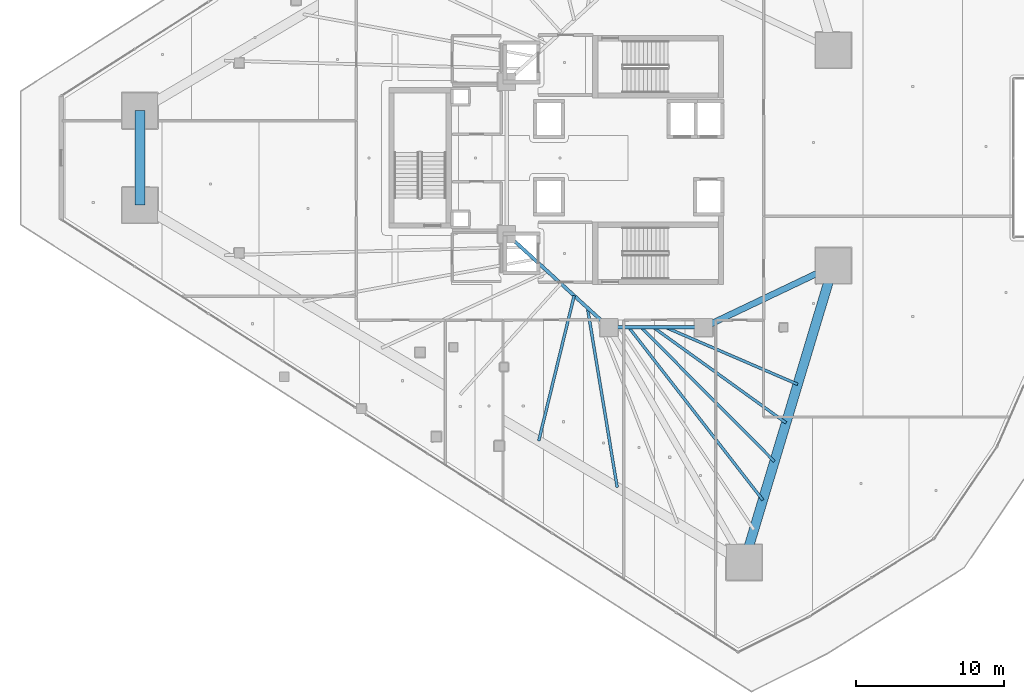
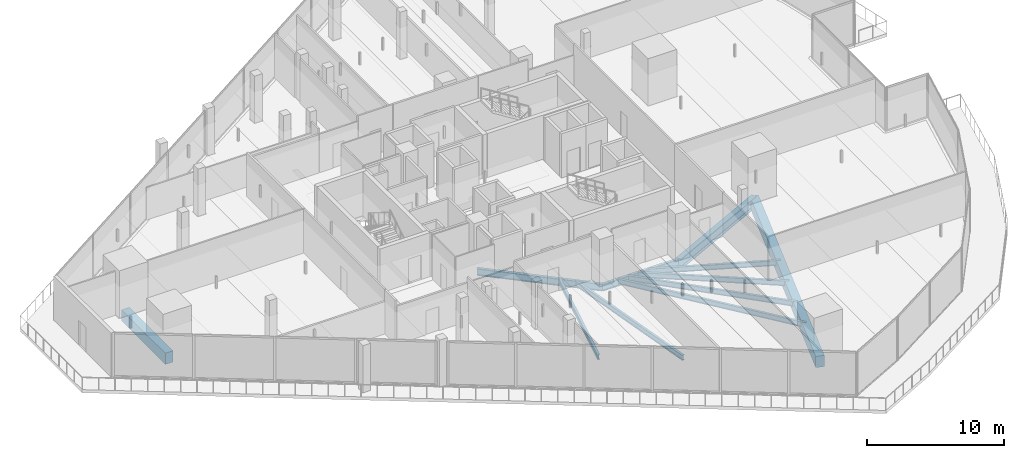
# One storey, part 11 of 44: 11 beams.
"""IFC4 building model written with IfcOpenShell, lengths in metres."""

import ifcopenshell
import ifcopenshell.guid

model = None  # the IFC model being written
_history = None  # IfcOwnerHistory: only IFC2X3 demands one
_inside = {}  # id of a spatial element -> (the spatial element, [elements in it])
_under = {}  # id of a project, library or spatial element -> (it, [spatial elements below it])
_declared = {}  # id of a project -> (the project, [libraries it declares])
_typed = {}  # id of a type object -> (the type object, [elements of that type])
_made_of = {}  # id of a material, layer set ... -> (it, [elements and type objects made of it])


def new_model(schema):
    """Start an empty IFC model of exactly this schema.

    Asked for "IFC4X3", IfcOpenShell would pick the latest addendum, in which some entities
    have other attributes; the version numbers below select the first issue.
    IFC2X3 requires an IfcOwnerHistory on every rooted entity: one is made here for all.
    """
    global model, _history
    if schema == "IFC4X3":
        model = ifcopenshell.file(schema_version=(4, 3, 0, 0))
    else:
        model = ifcopenshell.file(schema=schema)
    _inside.clear()
    _under.clear()
    _declared.clear()
    _typed.clear()
    _made_of.clear()
    _history = None
    if model.schema == "IFC2X3":
        org = make("IfcOrganization", Name="unknown")
        user = make(
            "IfcPersonAndOrganization",
            ThePerson=make("IfcPerson", FamilyName="unknown"),
            TheOrganization=org,
        )
        app = make(
            "IfcApplication",
            ApplicationDeveloper=org,
            Version="unknown",
            ApplicationFullName="unknown",
            ApplicationIdentifier="unknown",
        )
        _history = make(
            "IfcOwnerHistory",
            OwningUser=user,
            OwningApplication=app,
            ChangeAction="ADDED",
            CreationDate=0,
        )
    return model


def make(cls, **values):
    """One entity of the class cls with the attributes given. An attribute that is None is left unset."""
    return model.create_entity(
        cls, **{name: value for name, value in values.items() if value is not None}
    )


def rooted(cls, **values):
    """An entity with a GlobalId (a new one), such as an element, a storey or a relation."""
    return make(cls, GlobalId=ifcopenshell.guid.new(), OwnerHistory=_history, **values)


def si_unit(unit_type, name, prefix=None):
    """IfcSIUnit, for example si_unit("LENGTHUNIT", "METRE", prefix="MILLI")."""
    return make("IfcSIUnit", UnitType=unit_type, Prefix=prefix, Name=name)


def assignment(units):
    """IfcUnitAssignment: the units of a project."""
    return None if units is None else make("IfcUnitAssignment", Units=units)


def point(xyz):
    """IfcCartesianPoint."""
    return None if xyz is None else make("IfcCartesianPoint", Coordinates=xyz)


def direction(xyz):
    """IfcDirection."""
    return None if xyz is None else make("IfcDirection", DirectionRatios=xyz)


def frame(location, z_axis=None, x_axis=None):
    """IfcAxis2Placement3D, a coordinate frame: its origin and axes. An axis left out is left unset."""
    return make(
        "IfcAxis2Placement3D",
        Location=point(location),
        Axis=direction(z_axis),
        RefDirection=direction(x_axis),
    )


def frame_2d(location, x_axis=None):
    """IfcAxis2Placement2D, a coordinate frame in the plane: its origin and x axis."""
    return make(
        "IfcAxis2Placement2D", Location=point(location), RefDirection=direction(x_axis)
    )


def origin():
    """The frame at (0, 0, 0) with its axes left unset."""
    return frame((0.0, 0.0, 0.0))


def origin_2d():
    """The frame at (0, 0) in the plane with its x axis left unset."""
    return frame_2d((0.0, 0.0))


def place(relative_to, where):
    """IfcLocalPlacement: puts the frame where relative to a parent placement (None: the world)."""
    return make(
        "IfcLocalPlacement", PlacementRelTo=relative_to, RelativePlacement=where
    )


def context(
    kind, dimensions, precision=None, world=None, true_north=None, identifier=None
):
    """IfcGeometricRepresentationContext, for example the 3D "Model" context."""
    return make(
        "IfcGeometricRepresentationContext",
        ContextIdentifier=identifier,
        ContextType=kind,
        CoordinateSpaceDimension=dimensions,
        Precision=precision,
        WorldCoordinateSystem=world,
        TrueNorth=true_north,
    )


def subcontext(parent, identifier, kind, view, scale=None):
    """IfcGeometricRepresentationSubContext, for example "Body" below "Model"."""
    return make(
        "IfcGeometricRepresentationSubContext",
        ContextIdentifier=identifier,
        ContextType=kind,
        ParentContext=parent,
        TargetScale=scale,
        TargetView=view,
    )


def project(units=None, contexts=None):
    """IfcProject with its units and contexts."""
    return rooted(
        "IfcProject",
        Name="project",
        RepresentationContexts=contexts,
        UnitsInContext=assignment(units),
    )


def spatial(cls, under=None, at=None, **own):
    """A site, building, storey or space (cls), placed at a placement, below another one or the project."""
    s = rooted(cls, ObjectPlacement=at, **own)
    if under is not None:
        _under.setdefault(under.id(), (under, []))[1].append(s)
    return s


def profile(cls, at=None, kind="AREA", **sizes):
    """A parametric profile (cls). Its sizes go by their IFC names, for example OverallWidth=200.0."""
    return make(cls, ProfileType=kind, Position=at, **sizes)


def rectangle(**sizes):
    """IfcRectangleProfileDef."""
    return profile("IfcRectangleProfileDef", **sizes)


def i_section(**sizes):
    """IfcIShapeProfileDef."""
    return profile("IfcIShapeProfileDef", **sizes)


def extrude(swept, where, along, depth):
    """IfcExtrudedAreaSolid: the profile swept, set in the frame where, extruded along a direction by depth."""
    return make(
        "IfcExtrudedAreaSolid",
        SweptArea=swept,
        Position=where,
        ExtrudedDirection=direction(along),
        Depth=depth,
    )


def shape(context_of_items, identifier, shape_type, items):
    """IfcShapeRepresentation: the items that make up one representation, for example the "Body"."""
    return make(
        "IfcShapeRepresentation",
        ContextOfItems=context_of_items,
        RepresentationIdentifier=identifier,
        RepresentationType=shape_type,
        Items=items,
    )


def material(Name=None, Category=None):
    """IfcMaterial."""
    return make("IfcMaterial", Name=Name, Category=Category)


def material_profile(
    of_material, cross_section, Name=None, Category=None, Priority=None
):
    """IfcMaterialProfile: a cross section and its material."""
    return make(
        "IfcMaterialProfile",
        Name=Name,
        Material=of_material,
        Profile=cross_section,
        Priority=Priority,
        Category=Category,
    )


def profile_set(profiles, Name=None, composite=None):
    """IfcMaterialProfileSet."""
    return make(
        "IfcMaterialProfileSet",
        Name=Name,
        MaterialProfiles=profiles,
        CompositeProfile=composite,
    )


def made_of(thing, what):
    """Note that an element or type object is made of a material, layer set ...; save() writes the relation."""
    if what is not None:
        _made_of.setdefault(what.id(), (what, []))[1].append(thing)
    return thing


def type_object(cls, material=None, **own):
    """A type object (cls), such as IfcWallType, which elements share."""
    return made_of(rooted(cls, **own), material)


def element(
    cls,
    number,
    at=None,
    inside=None,
    cuts=None,
    type_object=None,
    material=None,
    context=None,
    identifier="Body",
    shape_type=None,
    held_by="IfcProductDefinitionShape",
    body=None,
    shapes=None,
    **own,
):
    """One element of the class cls, such as IfcWall. Its Tag is "e" and its number.

    at: its placement. inside: the storey or other place that contains it. cuts: it is an
    opening in that element (IfcRelVoidsElement). A single representation is given by context,
    identifier, shape_type and body (its items); several are given by shapes. held_by: the class
    of the entity that holds the representations. save() writes the other relations.
    """
    e = rooted(cls, Tag="e%d" % number, ObjectPlacement=at, **own)
    if body is not None:
        shapes = [shape(context, identifier, shape_type, body)]
    if shapes is not None:
        e.Representation = make(held_by, Representations=shapes)
    if inside is not None:
        _inside.setdefault(inside.id(), (inside, []))[1].append(e)
    if cuts is not None:
        rooted(
            "IfcRelVoidsElement", RelatingBuildingElement=cuts, RelatedOpeningElement=e
        )
    if type_object is not None:
        _typed.setdefault(type_object.id(), (type_object, []))[1].append(e)
    return made_of(e, material)


def aggregate(whole, parts):
    """IfcRelAggregates: a whole, such as a stair, and the parts it consists of."""
    return rooted("IfcRelAggregates", RelatingObject=whole, RelatedObjects=parts)


def save(model, path):
    """Write the relations noted so far, then the file.

    IfcRelAggregates (storeys below a building ...), IfcRelContainedInSpatialStructure (elements
    in a storey), IfcRelDefinesByType, IfcRelAssociatesMaterial and IfcRelDeclares: one each for
    every whole, place, type object, material and project.
    """
    for whole, parts in _under.values():
        aggregate(whole, parts)
    for where, things in _inside.values():
        rooted(
            "IfcRelContainedInSpatialStructure",
            RelatedElements=things,
            RelatingStructure=where,
        )
    for kind, things in _typed.values():
        rooted("IfcRelDefinesByType", RelatedObjects=things, RelatingType=kind)
    for what, things in _made_of.values():
        rooted("IfcRelAssociatesMaterial", RelatedObjects=things, RelatingMaterial=what)
    for by, libraries in _declared.values():
        rooted("IfcRelDeclares", RelatingContext=by, RelatedDefinitions=libraries)
    model.write(path)


model = new_model("IFC4")

# Units and contexts
model_context = context("Model", 3, precision=1e-05, world=origin(), true_north=direction((0.0, 1.0)))
body_context = subcontext(model_context, "Body", "Model", "MODEL_VIEW")
ifc_project = project(units=[si_unit("LENGTHUNIT", "METRE"), si_unit("AREAUNIT", "SQUARE_METRE"), si_unit("VOLUMEUNIT", "CUBIC_METRE"), si_unit("PLANEANGLEUNIT", "RADIAN"), si_unit("MASSUNIT", "GRAM", prefix="KILO")], contexts=[model_context])

# Site, building, storey
site_placement = place(None, origin())
site = spatial("IfcSite", under=ifc_project, at=site_placement, CompositionType="ELEMENT")
building_placement = place(site_placement, origin())
building = spatial("IfcBuilding", under=site, at=building_placement, Name="Qorvath Tower", CompositionType="ELEMENT")
storey_placement = place(building_placement, frame((0.0, 0.0, 53.39990234375)))
storey = spatial("IfcBuildingStorey", under=building, at=storey_placement, Name="L11", CompositionType="ELEMENT", Elevation=53.39990234375)

# Beams
ifc_material_1 = material(Name="Steel ASTM A992 Grade 50", Category="steel")
ifc_material_profile_1 = material_profile(ifc_material_1, i_section(OverallWidth=0.422119140625, OverallDepth=0.93310546875, WebThickness=0.021240234375, FlangeThickness=0.039794921875, FilletRadius=0.02392578125, at=origin_2d()), Name="W36x262")
ifc_profile_set_1 = profile_set([ifc_material_profile_1], Name="Steel ASTM A992 Grade 50")
beam_type_1 = type_object("IfcBeamType", Name="BM-FG1", PredefinedType="BEAM", material=ifc_profile_set_1)
beam_1_placement = place(storey_placement, frame((-17.199951171875, -11.449951171875, -0.746337890625), z_axis=(0.902955751435, 0.429733534821, 0.0), x_axis=(-0.429733534821, 0.902955751435, 0.0)))
element("IfcBeam", 1, at=beam_1_placement, inside=storey, type_object=beam_type_1, Name="Radial Floor Girder CC3-MC4 L11", PredefinedType="BEAM", context=body_context, shape_type="SweptSolid", body=[
    extrude(i_section(OverallWidth=0.422119140625, OverallDepth=0.93310546875, WebThickness=0.021240234375, FlangeThickness=0.039794921875, FilletRadius=0.02392578125, at=origin_2d()), origin(), (0.0, 0.0, 1.0), 9.7119140625),
])
ifc_material_2 = material(Name="Steel ASTM A992 Grade 50", Category="steel")
ifc_material_profile_2 = material_profile(ifc_material_2, i_section(OverallWidth=0.22998046875, OverallDepth=0.616943359375, WebThickness=0.01318359375, FlangeThickness=0.022216796875, FilletRadius=0.014892578125, at=origin_2d()), Name="W24x94")
ifc_profile_set_2 = profile_set([ifc_material_profile_2], Name="Steel ASTM A992 Grade 50")
beam_type_2 = type_object("IfcBeamType", Name="BM-FG6", PredefinedType="BEAM", material=ifc_profile_set_2)
beam_2_placement = place(storey_placement, frame((-17.199951171875, -11.449951171875, -0.58837890625), z_axis=(-1.0, 0.0, 0.0), x_axis=(0.0, -1.0, 0.0)))
element("IfcBeam", 2, at=beam_2_placement, inside=storey, type_object=beam_type_2, Name="Core Ring Girder CC3-CC4 L11", PredefinedType="BEAM", context=body_context, shape_type="SweptSolid", body=[
    extrude(i_section(OverallWidth=0.22998046875, OverallDepth=0.616943359375, WebThickness=0.01318359375, FlangeThickness=0.022216796875, FilletRadius=0.014892578125, at=origin_2d()), origin(), (0.0, 0.0, 1.0), 6.400146484375),
])
beam_3_placement = place(storey_placement, frame((-23.60009765625, -11.449951171875, -0.58837890625), z_axis=(-0.73847813985, 0.6742774184, 0.0), x_axis=(-0.6742774184, -0.73847813985, 0.0)))
element("IfcBeam", 3, at=beam_3_placement, inside=storey, type_object=beam_type_2, Name="Core Ring Girder CC4-CC6 L11", PredefinedType="BEAM", context=body_context, shape_type="SweptSolid", body=[
    extrude(i_section(OverallWidth=0.22998046875, OverallDepth=0.616943359375, WebThickness=0.01318359375, FlangeThickness=0.022216796875, FilletRadius=0.014892578125, at=origin_2d()), origin(), (0.0, 0.0, 1.0), 9.343505859375),
])
ifc_material_3 = material(Name="Steel ASTM A992 Grade 50", Category="steel")
ifc_material_profile_3 = material_profile(ifc_material_3, i_section(OverallWidth=0.18994140625, OverallDepth=0.45703125, WebThickness=0.009033203125, FlangeThickness=0.014404296875, FilletRadius=0.011962890625, at=origin_2d()), Name="W18x50")
ifc_profile_set_3 = profile_set([ifc_material_profile_3], Name="Steel ASTM A992 Grade 50")
beam_type_3 = type_object("IfcBeamType", Name="BM-FJ2", PredefinedType="JOIST", material=ifc_profile_set_3)
beam_4_placement = place(storey_placement, frame((-19.760009765625, -11.449951171875, -0.50830078125), z_axis=(0.918135537923, -0.396266493667, 0.0), x_axis=(0.396266493667, 0.918135537923, 0.0)))
element("IfcBeam", 4, at=beam_4_placement, inside=storey, type_object=beam_type_3, Name="Composite Floor Joist SE3 L11", PredefinedType="JOIST", context=body_context, shape_type="SweptSolid", body=[
    extrude(i_section(OverallWidth=0.18994140625, OverallDepth=0.45703125, WebThickness=0.009033203125, FlangeThickness=0.014404296875, FilletRadius=0.011962890625, at=origin_2d()), origin(), (0.0, 0.0, 1.0), 9.7109375),
])
beam_5_placement = place(storey_placement, frame((-20.592041015625, -11.449951171875, -0.50830078125), z_axis=(0.811469358397, -0.584394969505, 0.0), x_axis=(0.584394969505, 0.811469358397, 0.0)))
element("IfcBeam", 5, at=beam_5_placement, inside=storey, type_object=beam_type_3, Name="Composite Floor Joist SE4 L11", PredefinedType="JOIST", context=body_context, shape_type="SweptSolid", body=[
    extrude(i_section(OverallWidth=0.18994140625, OverallDepth=0.45703125, WebThickness=0.009033203125, FlangeThickness=0.014404296875, FilletRadius=0.011962890625, at=origin_2d()), origin(), (0.0, 0.0, 1.0), 11.046142578125),
])
beam_6_placement = place(storey_placement, frame((-21.424072265625, -11.449951171875, -0.50830078125), z_axis=(0.705107654599, -0.709100271771, 0.0), x_axis=(0.709100271771, 0.705107654599, 0.0)))
element("IfcBeam", 6, at=beam_6_placement, inside=storey, type_object=beam_type_3, Name="Composite Floor Joist SE5 L11", PredefinedType="JOIST", context=body_context, shape_type="SweptSolid", body=[
    extrude(i_section(OverallWidth=0.18994140625, OverallDepth=0.45703125, WebThickness=0.009033203125, FlangeThickness=0.014404296875, FilletRadius=0.011962890625, at=origin_2d()), origin(), (0.0, 0.0, 1.0), 12.780029296875),
])
beam_7_placement = place(storey_placement, frame((-22.256103515625, -11.449951171875, -0.50830078125), z_axis=(0.613206963859, -0.789922286984, 0.0), x_axis=(0.789922286984, 0.613206963859, 0.0)))
element("IfcBeam", 7, at=beam_7_placement, inside=storey, type_object=beam_type_3, Name="Composite Floor Joist SE6 L11", PredefinedType="JOIST", context=body_context, shape_type="SweptSolid", body=[
    extrude(i_section(OverallWidth=0.18994140625, OverallDepth=0.45703125, WebThickness=0.009033203125, FlangeThickness=0.014404296875, FilletRadius=0.011962890625, at=origin_2d()), origin(), (0.0, 0.0, 1.0), 14.77294921875),
])
beam_8_placement = place(storey_placement, frame((-25.946044921875, -9.30810546875, -0.50830078125), z_axis=(-0.237165308581, -0.97146930801, 0.0), x_axis=(0.97146930801, -0.237165308581, 0.0)))
element("IfcBeam", 8, at=beam_8_placement, inside=storey, type_object=beam_type_3, Name="Composite Floor Joist SW5 L11", PredefinedType="JOIST", context=body_context, shape_type="SweptSolid", body=[
    extrude(i_section(OverallWidth=0.18994140625, OverallDepth=0.45703125, WebThickness=0.009033203125, FlangeThickness=0.014404296875, FilletRadius=0.011962890625, at=origin_2d()), origin(), (0.0, 0.0, 1.0), 10.104736328125),
])
beam_9_placement = place(storey_placement, frame((-25.049072265625, -10.126953125, -0.50830078125), z_axis=(0.163639384475, -0.98652022374, 0.0), x_axis=(0.98652022374, 0.163639384475, 0.0)))
element("IfcBeam", 9, at=beam_9_placement, inside=storey, type_object=beam_type_3, Name="Composite Floor Joist SW6 L11", PredefinedType="JOIST", context=body_context, shape_type="SweptSolid", body=[
    extrude(i_section(OverallWidth=0.18994140625, OverallDepth=0.45703125, WebThickness=0.009033203125, FlangeThickness=0.014404296875, FilletRadius=0.011962890625, at=origin_2d()), origin(), (0.0, 0.0, 1.0), 12.301025390625),
])
ifc_material_4 = material(Name="Concrete C50/60", Category="concrete")
ifc_material_profile_4 = material_profile(ifc_material_4, rectangle(XDim=0.64990234375, YDim=1.0, at=origin_2d()), Name="RCB 1000x650")
ifc_profile_set_4 = profile_set([ifc_material_profile_4], Name="Concrete C50/60")
beam_type_4 = type_object("IfcBeamType", Name="BM-RCB1", PredefinedType="SPANDREL", material=ifc_profile_set_4)
beam_10_placement = place(storey_placement, frame((-55.282958984375, 3.194580078125, -0.77978515625), z_axis=(0.0, -1.0, 0.0), x_axis=(1.0, 0.0, 0.0)))
element("IfcBeam", 10, at=beam_10_placement, inside=storey, type_object=beam_type_4, Name="Perimeter Loggia Frame Beam MC1-MC2 L11", PredefinedType="SPANDREL", context=body_context, shape_type="SweptSolid", body=[
    extrude(rectangle(XDim=0.64990234375, YDim=1.0, at=origin_2d()), origin(), (0.0, 0.0, 1.0), 6.38916015625),
])
beam_11_placement = place(storey_placement, frame((-14.46435546875, -27.330810546875, -0.77978515625), z_axis=(0.288118908799, 0.957594639914, 0.0), x_axis=(-0.957594639914, 0.288118908799, 0.0)))
element("IfcBeam", 11, at=beam_11_placement, inside=storey, type_object=beam_type_4, Name="Perimeter Loggia Frame Beam MC3-MC4 L11", PredefinedType="SPANDREL", context=body_context, shape_type="SweptSolid", body=[
    extrude(rectangle(XDim=0.64990234375, YDim=1.0, at=origin_2d()), origin(), (0.0, 0.0, 1.0), 20.942626953125),
])

save(model, "model.ifc")
